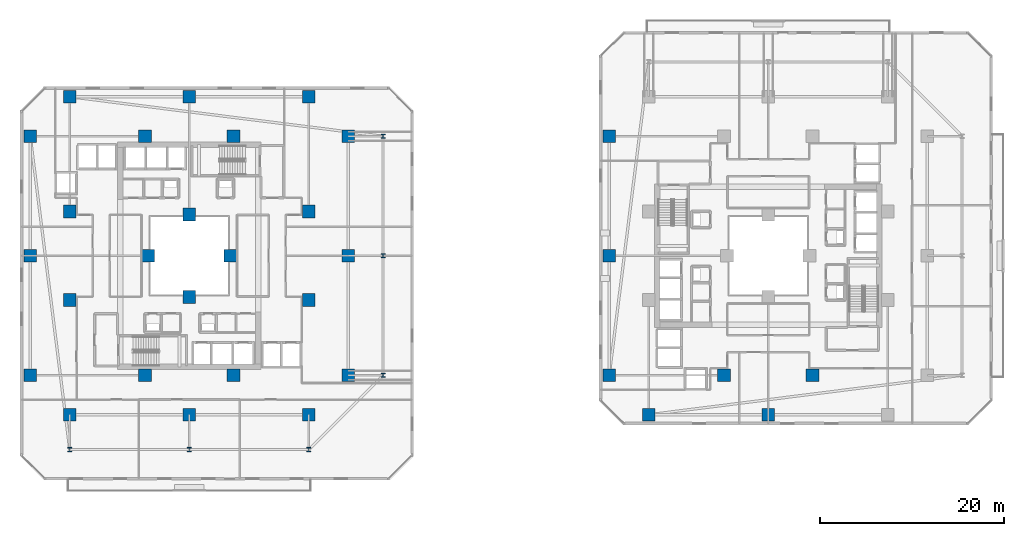
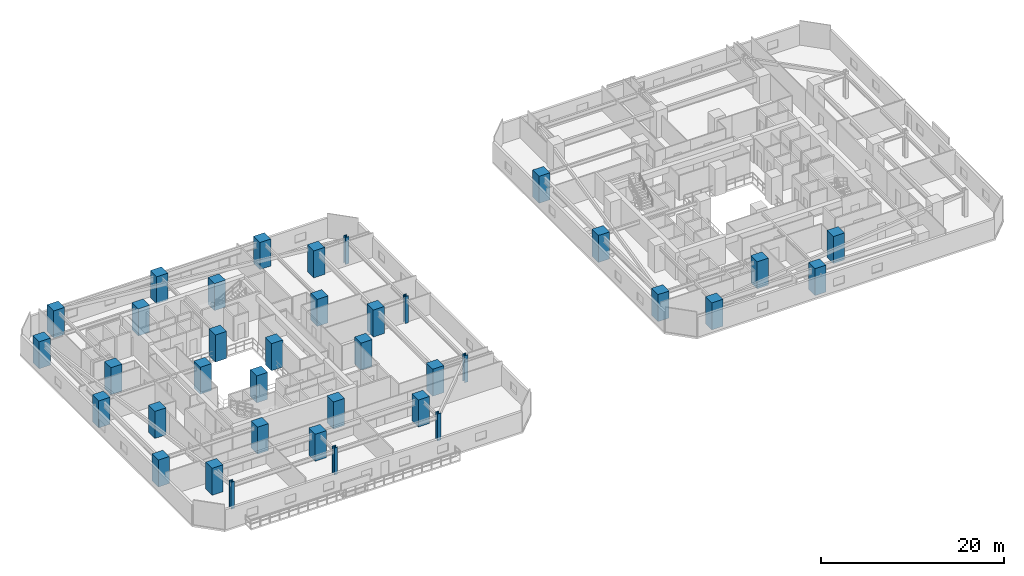
# One storey, part 1 of 36: 37 columns.
"""IFC4 building model written with IfcOpenShell, lengths in metres."""

from ifc_helpers import new_model, si_unit, direction, frame, origin, origin_2d, place, context, subcontext, project, spatial, rectangle, i_section, extrude, material, material_profile, profile_set, type_object, element, save


model = new_model("IFC4")

# Units and contexts
model_context = context("Model", 3, precision=1e-05, world=origin(), true_north=direction((0.0, 1.0)))
body_context = subcontext(model_context, "Body", "Model", "MODEL_VIEW")
ifc_project = project(units=[si_unit("LENGTHUNIT", "METRE"), si_unit("AREAUNIT", "SQUARE_METRE"), si_unit("VOLUMEUNIT", "CUBIC_METRE"), si_unit("PLANEANGLEUNIT", "RADIAN"), si_unit("MASSUNIT", "GRAM", prefix="KILO")], contexts=[model_context])

# Site, building, storey
site_placement = place(None, origin())
site = spatial("IfcSite", under=ifc_project, at=site_placement, CompositionType="ELEMENT")
building_placement = place(site_placement, origin())
building = spatial("IfcBuilding", under=site, at=building_placement, Name="Thornwick Lancets Civic Towers", CompositionType="ELEMENT")
storey_placement = place(building_placement, frame((0.0, 0.0, 68.10009765625)))
storey = spatial("IfcBuildingStorey", under=building, at=storey_placement, Name="L17", CompositionType="ELEMENT", Elevation=68.10009765625)

# Columns
ifc_material_1 = material(Name="Concrete C60/75", Category="concrete")
ifc_material_profile_1 = material_profile(ifc_material_1, rectangle(XDim=1.39990234375, YDim=1.39990234375, at=origin_2d()), Name="RC 1400x1400")
ifc_profile_set_1 = profile_set([ifc_material_profile_1], Name="Concrete C60/75")
column_type_1 = type_object("IfcColumnType", Name="COL_RC_1400", PredefinedType="COLUMN", material=ifc_profile_set_1)
for number, where, z_axis, x_axis, name in (
    (1, (12.5, 9.699951171875, 0.0), (0.0, 0.0, 1.0), (1.0, 0.0, 0.0), "L17 Spine Mega-Column A01"),
    (2, (25.5, 9.699951171875, 0.0), (0.0, 0.0, 1.0), (1.0, 0.0, 0.0), "L17 Spine Mega-Column A02"),
    (3, (38.5, 9.699951171875, 0.0), (0.0, 0.0, 1.0), (1.0, 0.0, 0.0), "L17 Spine Mega-Column A03"),
    (4, (42.800048828125, 14.0, 0.0), (0.0, 0.0, 1.0), (1.0, 0.0, 0.0), "L17 Spine Mega-Column A04"),
    (5, (42.800048828125, 27.0, 0.0), (0.0, 0.0, 1.0), (1.0, 0.0, 0.0), "L17 Spine Mega-Column A05"),
    (6, (42.800048828125, 40.0, 0.0), (0.0, 0.0, 1.0), (1.0, 0.0, 0.0), "L17 Spine Mega-Column A06"),
    (7, (12.5, 44.300048828125, 0.0), (0.0, 0.0, 1.0), (1.0, 0.0, 0.0), "L17 Spine Mega-Column A07"),
    (8, (25.5, 44.300048828125, 0.0), (0.0, 0.0, 1.0), (1.0, 0.0, 0.0), "L17 Spine Mega-Column A08"),
    (9, (38.5, 44.300048828125, 0.0), (0.0, 0.0, 1.0), (1.0, 0.0, 0.0), "L17 Spine Mega-Column A09"),
    (10, (8.199951171875, 14.0, 0.0), (0.0, 0.0, 1.0), (1.0, 0.0, 0.0), "L17 Spine Mega-Column A10"),
    (11, (8.199951171875, 27.0, 0.0), (0.0, 0.0, 1.0), (1.0, 0.0, 0.0), "L17 Spine Mega-Column A11"),
    (12, (8.199951171875, 40.0, 0.0), (0.0, 0.0, 1.0), (1.0, 0.0, 0.0), "L17 Spine Mega-Column A12"),
    (13, (12.5, 22.199951171875, 0.0), (0.0, 0.0, 1.0), (1.0, 0.0, 0.0), "L17 Spine Mega-Column A13"),
    (14, (38.5, 22.199951171875, 0.0), (0.0, 0.0, 1.0), (1.0, 0.0, 0.0), "L17 Spine Mega-Column A14"),
    (15, (12.5, 31.800048828125, 0.0), (0.0, 0.0, 1.0), (1.0, 0.0, 0.0), "L17 Spine Mega-Column A15"),
    (16, (38.5, 31.800048828125, 0.0), (0.0, 0.0, 1.0), (1.0, 0.0, 0.0), "L17 Spine Mega-Column A16"),
    (17, (20.699951171875, 14.0, 0.0), (0.0, 0.0, 1.0), (1.0, 0.0, 0.0), "L17 Spine Mega-Column A17"),
    (18, (30.300048828125, 14.0, 0.0), (0.0, 0.0, 1.0), (1.0, 0.0, 0.0), "L17 Spine Mega-Column A18"),
    (19, (20.699951171875, 40.0, 0.0), (0.0, 0.0, 1.0), (1.0, 0.0, 0.0), "L17 Spine Mega-Column A19"),
    (20, (30.300048828125, 40.0, 0.0), (0.0, 0.0, 1.0), (1.0, 0.0, 0.0), "L17 Spine Mega-Column A20"),
    (21, (25.5, 22.5, 0.0), (0.0, 0.0, 1.0), (1.0, 0.0, 0.0), "L17 Spine Mega-Column A21"),
    (22, (25.5, 31.5, 0.0), (0.0, 0.0, 1.0), (1.0, 0.0, 0.0), "L17 Spine Mega-Column A22"),
    (23, (21.0, 27.0, 0.0), (0.0, 0.0, 1.0), (1.0, 0.0, 0.0), "L17 Spine Mega-Column A23"),
    (24, (30.0, 27.0, 0.0), (0.0, 0.0, 1.0), (1.0, 0.0, 0.0), "L17 Spine Mega-Column A24"),
    (25, (71.199951171875, 14.0, 0.0), (0.0, 0.0, 1.0), (1.0, 0.0, 0.0), "L17 Spine Mega-Column B07"),
    (26, (71.199951171875, 27.0, 0.0), (0.0, 0.0, 1.0), (1.0, 0.0, 0.0), "L17 Spine Mega-Column B08"),
    (27, (71.199951171875, 40.0, 0.0), (0.0, 0.0, 1.0), (1.0, 0.0, 0.0), "L17 Spine Mega-Column B09"),
    (28, (88.5, 9.699951171875, 0.0), (0.0, 0.0, 1.0), (1.0, 0.0, 0.0), "L17 Spine Mega-Column B11"),
    (29, (75.5, 9.699951171875, 0.0), (0.0, 0.0, 1.0), (1.0, 0.0, 0.0), "L17 Spine Mega-Column B12"),
    (30, (93.300048828125, 14.0, 0.0), (0.0, 0.0, 1.0), (1.0, 0.0, 0.0), "L17 Spine Mega-Column B13"),
    (31, (83.699951171875, 14.0, 0.0), (0.0, 0.0, 1.0), (1.0, 0.0, 0.0), "L17 Spine Mega-Column B15"),
):
    element("IfcColumn", number, at=place(storey_placement, frame(where, z_axis=z_axis, x_axis=x_axis)), inside=storey, type_object=column_type_1, Name=name, PredefinedType="COLUMN", context=body_context, shape_type="SweptSolid", body=[
        extrude(rectangle(XDim=1.39990234375, YDim=1.39990234375, at=origin_2d()), origin(), (0.0, 0.0, 1.0), 3.599853515625),
    ])
ifc_material_2 = material(Name="Steel S460M", Category="steel")
ifc_material_profile_2 = material_profile(ifc_material_2, i_section(OverallWidth=0.424072265625, OverallDepth=0.474609375, WebThickness=0.047607421875, FlangeThickness=0.076904296875, FilletRadius=0.01513671875, at=origin_2d()), Name="UKC 356x406x634")
ifc_profile_set_2 = profile_set([ifc_material_profile_2], Name="Steel S460M")
column_type_2 = type_object("IfcColumnType", Name="COL_UKC_634", PredefinedType="COLUMN", material=ifc_profile_set_2)
for number, where, z_axis, x_axis, name in (
    (32, (12.5, 5.89990234375, 0.0), (0.0, 0.0, 1.0), (1.0, 0.0, 0.0), "L17 Block Perimeter Column A01"),
    (33, (25.5, 5.89990234375, 0.0), (0.0, 0.0, 1.0), (1.0, 0.0, 0.0), "L17 Block Perimeter Column A02"),
    (34, (38.5, 5.89990234375, 0.0), (0.0, 0.0, 1.0), (1.0, 0.0, 0.0), "L17 Block Perimeter Column A03"),
    (35, (46.60009765625, 14.0, 0.0), (0.0, 0.0, 1.0), (1.0, 0.0, 0.0), "L17 Block Perimeter Column A04"),
    (36, (46.60009765625, 27.0, 0.0), (0.0, 0.0, 1.0), (1.0, 0.0, 0.0), "L17 Block Perimeter Column A05"),
    (37, (46.60009765625, 40.0, 0.0), (0.0, 0.0, 1.0), (1.0, 0.0, 0.0), "L17 Block Perimeter Column A06"),
):
    element("IfcColumn", number, at=place(storey_placement, frame(where, z_axis=z_axis, x_axis=x_axis)), inside=storey, type_object=column_type_2, Name=name, PredefinedType="COLUMN", context=body_context, shape_type="SweptSolid", body=[
        extrude(i_section(OverallWidth=0.424072265625, OverallDepth=0.474609375, WebThickness=0.047607421875, FlangeThickness=0.076904296875, FilletRadius=0.01513671875, at=origin_2d()), origin(), (0.0, 0.0, 1.0), 3.599853515625),
    ])

save(model, "model.ifc")
